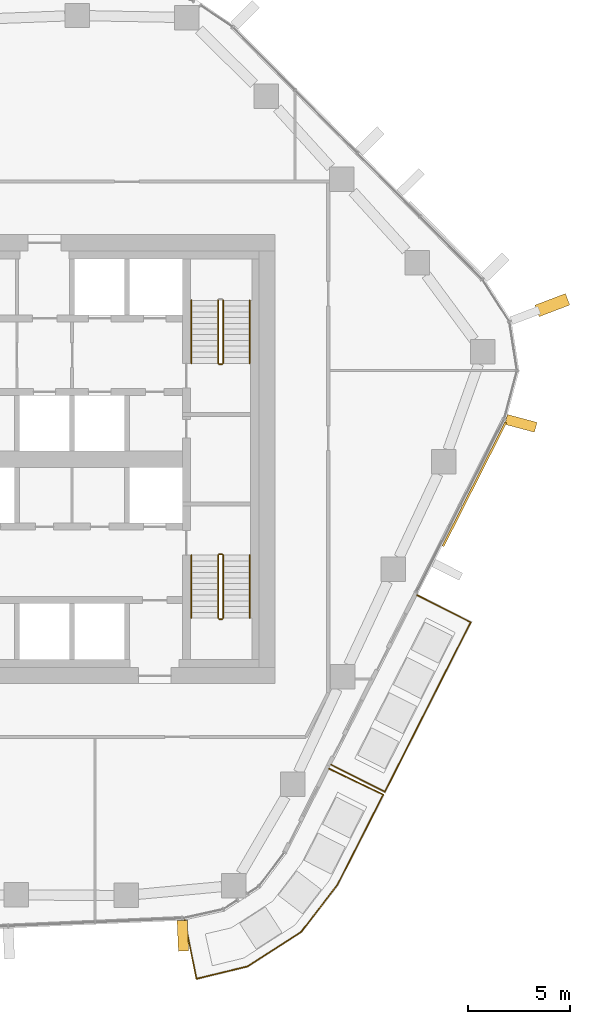
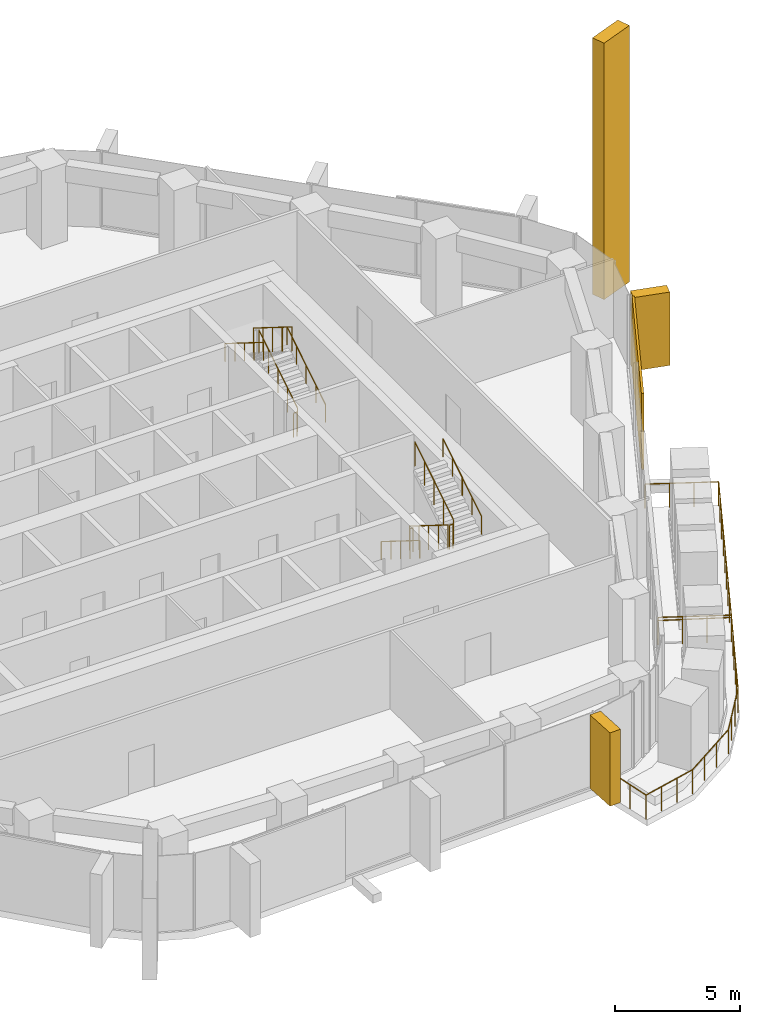
# One storey, part 16 of 18: 13 railings, 4 coverings, 3 elements without a shape of their own.
"""IFC4 building model written with IfcOpenShell, lengths in metres."""

import ifcopenshell
import ifcopenshell.guid

model = None  # the IFC model being written
_history = None  # IfcOwnerHistory: only IFC2X3 demands one
_inside = {}  # id of a spatial element -> (the spatial element, [elements in it])
_under = {}  # id of a project, library or spatial element -> (it, [spatial elements below it])
_declared = {}  # id of a project -> (the project, [libraries it declares])
_typed = {}  # id of a type object -> (the type object, [elements of that type])
_made_of = {}  # id of a material, layer set ... -> (it, [elements and type objects made of it])


def new_model(schema):
    """Start an empty IFC model of exactly this schema.

    Asked for "IFC4X3", IfcOpenShell would pick the latest addendum, in which some entities
    have other attributes; the version numbers below select the first issue.
    IFC2X3 requires an IfcOwnerHistory on every rooted entity: one is made here for all.
    """
    global model, _history
    if schema == "IFC4X3":
        model = ifcopenshell.file(schema_version=(4, 3, 0, 0))
    else:
        model = ifcopenshell.file(schema=schema)
    _inside.clear()
    _under.clear()
    _declared.clear()
    _typed.clear()
    _made_of.clear()
    _history = None
    if model.schema == "IFC2X3":
        org = make("IfcOrganization", Name="unknown")
        user = make(
            "IfcPersonAndOrganization",
            ThePerson=make("IfcPerson", FamilyName="unknown"),
            TheOrganization=org,
        )
        app = make(
            "IfcApplication",
            ApplicationDeveloper=org,
            Version="unknown",
            ApplicationFullName="unknown",
            ApplicationIdentifier="unknown",
        )
        _history = make(
            "IfcOwnerHistory",
            OwningUser=user,
            OwningApplication=app,
            ChangeAction="ADDED",
            CreationDate=0,
        )
    return model


def make(cls, **values):
    """One entity of the class cls with the attributes given. An attribute that is None is left unset."""
    return model.create_entity(
        cls, **{name: value for name, value in values.items() if value is not None}
    )


def rooted(cls, **values):
    """An entity with a GlobalId (a new one), such as an element, a storey or a relation."""
    return make(cls, GlobalId=ifcopenshell.guid.new(), OwnerHistory=_history, **values)


def si_unit(unit_type, name, prefix=None):
    """IfcSIUnit, for example si_unit("LENGTHUNIT", "METRE", prefix="MILLI")."""
    return make("IfcSIUnit", UnitType=unit_type, Prefix=prefix, Name=name)


def assignment(units):
    """IfcUnitAssignment: the units of a project."""
    return None if units is None else make("IfcUnitAssignment", Units=units)


def point(xyz):
    """IfcCartesianPoint."""
    return None if xyz is None else make("IfcCartesianPoint", Coordinates=xyz)


def direction(xyz):
    """IfcDirection."""
    return None if xyz is None else make("IfcDirection", DirectionRatios=xyz)


def frame(location, z_axis=None, x_axis=None):
    """IfcAxis2Placement3D, a coordinate frame: its origin and axes. An axis left out is left unset."""
    return make(
        "IfcAxis2Placement3D",
        Location=point(location),
        Axis=direction(z_axis),
        RefDirection=direction(x_axis),
    )


def frame_2d(location, x_axis=None):
    """IfcAxis2Placement2D, a coordinate frame in the plane: its origin and x axis."""
    return make(
        "IfcAxis2Placement2D", Location=point(location), RefDirection=direction(x_axis)
    )


def origin():
    """The frame at (0, 0, 0) with its axes left unset."""
    return frame((0.0, 0.0, 0.0))


def origin_2d():
    """The frame at (0, 0) in the plane with its x axis left unset."""
    return frame_2d((0.0, 0.0))


def place(relative_to, where):
    """IfcLocalPlacement: puts the frame where relative to a parent placement (None: the world)."""
    return make(
        "IfcLocalPlacement", PlacementRelTo=relative_to, RelativePlacement=where
    )


def context(
    kind, dimensions, precision=None, world=None, true_north=None, identifier=None
):
    """IfcGeometricRepresentationContext, for example the 3D "Model" context."""
    return make(
        "IfcGeometricRepresentationContext",
        ContextIdentifier=identifier,
        ContextType=kind,
        CoordinateSpaceDimension=dimensions,
        Precision=precision,
        WorldCoordinateSystem=world,
        TrueNorth=true_north,
    )


def subcontext(parent, identifier, kind, view, scale=None):
    """IfcGeometricRepresentationSubContext, for example "Body" below "Model"."""
    return make(
        "IfcGeometricRepresentationSubContext",
        ContextIdentifier=identifier,
        ContextType=kind,
        ParentContext=parent,
        TargetScale=scale,
        TargetView=view,
    )


def project(units=None, contexts=None):
    """IfcProject with its units and contexts."""
    return rooted(
        "IfcProject",
        Name="project",
        RepresentationContexts=contexts,
        UnitsInContext=assignment(units),
    )


def spatial(cls, under=None, at=None, **own):
    """A site, building, storey or space (cls), placed at a placement, below another one or the project."""
    s = rooted(cls, ObjectPlacement=at, **own)
    if under is not None:
        _under.setdefault(under.id(), (under, []))[1].append(s)
    return s


def profile(cls, at=None, kind="AREA", **sizes):
    """A parametric profile (cls). Its sizes go by their IFC names, for example OverallWidth=200.0."""
    return make(cls, ProfileType=kind, Position=at, **sizes)


def rectangle(**sizes):
    """IfcRectangleProfileDef."""
    return profile("IfcRectangleProfileDef", **sizes)


def circle(**sizes):
    """IfcCircleProfileDef."""
    return profile("IfcCircleProfileDef", **sizes)


def extrude(swept, where, along, depth):
    """IfcExtrudedAreaSolid: the profile swept, set in the frame where, extruded along a direction by depth."""
    return make(
        "IfcExtrudedAreaSolid",
        SweptArea=swept,
        Position=where,
        ExtrudedDirection=direction(along),
        Depth=depth,
    )


def shape(context_of_items, identifier, shape_type, items):
    """IfcShapeRepresentation: the items that make up one representation, for example the "Body"."""
    return make(
        "IfcShapeRepresentation",
        ContextOfItems=context_of_items,
        RepresentationIdentifier=identifier,
        RepresentationType=shape_type,
        Items=items,
    )


def material(Name=None, Category=None):
    """IfcMaterial."""
    return make("IfcMaterial", Name=Name, Category=Category)


def layer(
    of_material, thickness, ventilated=None, Name=None, Category=None, Priority=None
):
    """IfcMaterialLayer: one layer of a wall or slab, of a material (None: an air gap)."""
    return make(
        "IfcMaterialLayer",
        Material=of_material,
        LayerThickness=thickness,
        IsVentilated=ventilated,
        Name=Name,
        Category=Category,
        Priority=Priority,
    )


def layer_set(layers, Name=None):
    """IfcMaterialLayerSet."""
    return make("IfcMaterialLayerSet", MaterialLayers=layers, LayerSetName=Name)


def material_profile(
    of_material, cross_section, Name=None, Category=None, Priority=None
):
    """IfcMaterialProfile: a cross section and its material."""
    return make(
        "IfcMaterialProfile",
        Name=Name,
        Material=of_material,
        Profile=cross_section,
        Priority=Priority,
        Category=Category,
    )


def profile_set(profiles, Name=None, composite=None):
    """IfcMaterialProfileSet."""
    return make(
        "IfcMaterialProfileSet",
        Name=Name,
        MaterialProfiles=profiles,
        CompositeProfile=composite,
    )


def made_of(thing, what):
    """Note that an element or type object is made of a material, layer set ...; save() writes the relation."""
    if what is not None:
        _made_of.setdefault(what.id(), (what, []))[1].append(thing)
    return thing


def type_object(cls, material=None, **own):
    """A type object (cls), such as IfcWallType, which elements share."""
    return made_of(rooted(cls, **own), material)


def element(
    cls,
    number,
    at=None,
    inside=None,
    cuts=None,
    type_object=None,
    material=None,
    context=None,
    identifier="Body",
    shape_type=None,
    held_by="IfcProductDefinitionShape",
    body=None,
    shapes=None,
    **own,
):
    """One element of the class cls, such as IfcWall. Its Tag is "e" and its number.

    at: its placement. inside: the storey or other place that contains it. cuts: it is an
    opening in that element (IfcRelVoidsElement). A single representation is given by context,
    identifier, shape_type and body (its items); several are given by shapes. held_by: the class
    of the entity that holds the representations. save() writes the other relations.
    """
    e = rooted(cls, Tag="e%d" % number, ObjectPlacement=at, **own)
    if body is not None:
        shapes = [shape(context, identifier, shape_type, body)]
    if shapes is not None:
        e.Representation = make(held_by, Representations=shapes)
    if inside is not None:
        _inside.setdefault(inside.id(), (inside, []))[1].append(e)
    if cuts is not None:
        rooted(
            "IfcRelVoidsElement", RelatingBuildingElement=cuts, RelatedOpeningElement=e
        )
    if type_object is not None:
        _typed.setdefault(type_object.id(), (type_object, []))[1].append(e)
    return made_of(e, material)


def aggregate(whole, parts):
    """IfcRelAggregates: a whole, such as a stair, and the parts it consists of."""
    return rooted("IfcRelAggregates", RelatingObject=whole, RelatedObjects=parts)


def save(model, path):
    """Write the relations noted so far, then the file.

    IfcRelAggregates (storeys below a building ...), IfcRelContainedInSpatialStructure (elements
    in a storey), IfcRelDefinesByType, IfcRelAssociatesMaterial and IfcRelDeclares: one each for
    every whole, place, type object, material and project.
    """
    for whole, parts in _under.values():
        aggregate(whole, parts)
    for where, things in _inside.values():
        rooted(
            "IfcRelContainedInSpatialStructure",
            RelatedElements=things,
            RelatingStructure=where,
        )
    for kind, things in _typed.values():
        rooted("IfcRelDefinesByType", RelatedObjects=things, RelatingType=kind)
    for what, things in _made_of.values():
        rooted("IfcRelAssociatesMaterial", RelatedObjects=things, RelatingMaterial=what)
    for by, libraries in _declared.values():
        rooted("IfcRelDeclares", RelatingContext=by, RelatedDefinitions=libraries)
    model.write(path)


model = new_model("IFC4")

# Units and contexts
model_context = context("Model", 3, precision=1e-05, world=origin(), true_north=direction((0.0, 1.0)))
body_context = subcontext(model_context, "Body", "Model", "MODEL_VIEW")
ifc_project = project(units=[si_unit("LENGTHUNIT", "METRE"), si_unit("AREAUNIT", "SQUARE_METRE"), si_unit("VOLUMEUNIT", "CUBIC_METRE"), si_unit("PLANEANGLEUNIT", "RADIAN"), si_unit("MASSUNIT", "GRAM", prefix="KILO")], contexts=[model_context])

# Site, building, storey
site_placement = place(None, origin())
site = spatial("IfcSite", under=ifc_project, at=site_placement, CompositionType="ELEMENT")
building_placement = place(site_placement, origin())
building = spatial("IfcBuilding", under=site, at=building_placement, Name="Dongbaek Canopy Tower", CompositionType="ELEMENT")
storey_placement = place(building_placement, frame((0.0, 0.0, 171.199951171875)))
storey = spatial("IfcBuildingStorey", under=building, at=storey_placement, Name="L37", CompositionType="ELEMENT", Elevation=171.199951171875)

# Railings
ifc_material_1 = material(Name="Stainless steel", Category="steel")
railing_type_1 = type_object("IfcRailingType", Name="Balcony balustrade 1200", PredefinedType="BALUSTRADE", material=ifc_material_1)
railing_1_placement = place(storey_placement, frame((16.746826171875, -14.96533203125, 0.0)))
element("IfcRailing", 1, at=railing_1_placement, inside=storey, type_object=railing_type_1, Name="Balcony guard L37 1", PredefinedType="BALUSTRADE", context=body_context, shape_type="SweptSolid", body=[
    extrude(circle(Radius=0.02392578125, at=origin_2d()), frame((0.0, 0.0, 1.17578125), z_axis=(0.892005863595, -0.452023826045, 0.0), x_axis=(0.452023826045, 0.892005863595, 0.0)), (0.0, 0.0, 1.0), 2.939697265625),
    extrude(circle(Radius=0.02392578125, at=origin_2d()), frame((2.622314453125, -1.328857421875, 1.17578125), z_axis=(0.452021547481, 0.892007018253, 0.0), x_axis=(-0.892007018253, 0.452021547481, 0.0)), (0.0, 0.0, 1.0), 9.310302734375),
    extrude(circle(Radius=0.02392578125, at=origin_2d()), frame((6.830810546875, 6.97607421875, 1.17578125), z_axis=(-0.892022830295, 0.451990343074, 0.0), x_axis=(-0.451990343074, -0.892022830295, 0.0)), (0.0, 0.0, 1.0), 2.93994140625),
    extrude(circle(Radius=0.02099609375, at=origin_2d()), origin(), (0.0, 0.0, 1.0), 1.15185546875),
    extrude(circle(Radius=0.02099609375, at=origin_2d()), frame((0.8740234375, -0.44287109375, 0.0)), (0.0, 0.0, 1.0), 1.15185546875),
    extrude(circle(Radius=0.02099609375, at=origin_2d()), frame((1.748291015625, -0.885986328125, 0.0)), (0.0, 0.0, 1.0), 1.15185546875),
    extrude(circle(Radius=0.02099609375, at=origin_2d()), frame((2.622314453125, -1.328857421875, 0.0)), (0.0, 0.0, 1.0), 1.15185546875),
    extrude(circle(Radius=0.02099609375, at=origin_2d()), frame((3.1484375, -0.290771484375, 0.0)), (0.0, 0.0, 1.0), 1.15185546875),
    extrude(circle(Radius=0.02099609375, at=origin_2d()), frame((3.67431640625, 0.747314453125, 0.0)), (0.0, 0.0, 1.0), 1.15185546875),
    extrude(circle(Radius=0.02099609375, at=origin_2d()), frame((4.200439453125, 1.785400390625, 0.0)), (0.0, 0.0, 1.0), 1.15185546875),
    extrude(circle(Radius=0.02099609375, at=origin_2d()), frame((4.7265625, 2.82373046875, 0.0)), (0.0, 0.0, 1.0), 1.15185546875),
    extrude(circle(Radius=0.02099609375, at=origin_2d()), frame((5.252685546875, 3.86181640625, 0.0)), (0.0, 0.0, 1.0), 1.15185546875),
    extrude(circle(Radius=0.02099609375, at=origin_2d()), frame((5.77880859375, 4.89990234375, 0.0)), (0.0, 0.0, 1.0), 1.15185546875),
    extrude(circle(Radius=0.02099609375, at=origin_2d()), frame((6.3046875, 5.93798828125, 0.0)), (0.0, 0.0, 1.0), 1.15185546875),
    extrude(circle(Radius=0.02099609375, at=origin_2d()), frame((6.830810546875, 6.97607421875, 0.0)), (0.0, 0.0, 1.0), 1.15185546875),
    extrude(circle(Radius=0.02099609375, at=origin_2d()), frame((5.95654296875, 7.4189453125, 0.0)), (0.0, 0.0, 1.0), 1.15185546875),
    extrude(circle(Radius=0.02099609375, at=origin_2d()), frame((5.08251953125, 7.862060546875, 0.0)), (0.0, 0.0, 1.0), 1.15185546875),
    extrude(circle(Radius=0.02099609375, at=origin_2d()), frame((4.208251953125, 8.304931640625, 0.0)), (0.0, 0.0, 1.0), 1.15185546875),
])
railing_2_placement = place(storey_placement, frame((9.560302734375, -22.572021484375, 0.0)))
element("IfcRailing", 2, at=railing_2_placement, inside=storey, type_object=railing_type_1, Name="Balcony guard L37 2", PredefinedType="BALUSTRADE", context=body_context, shape_type="SweptSolid", body=[
    extrude(circle(Radius=0.02392578125, at=origin_2d()), frame((0.0, 0.0, 1.17578125), z_axis=(0.198255065581, -0.980150462415, 0.0), x_axis=(0.980150462415, 0.198255065581, 0.0)), (0.0, 0.0, 1.0), 2.940673828125),
    extrude(circle(Radius=0.02392578125, at=origin_2d()), frame((0.5830078125, -2.88232421875, 1.17578125), z_axis=(0.971865254001, 0.235537530055, 0.0), x_axis=(-0.235537530055, 0.971865254001, 0.0)), (0.0, 0.0, 1.0), 2.571533203125),
    extrude(circle(Radius=0.02392578125, at=origin_2d()), frame((3.082275390625, -2.276611328125, 1.17578125), z_axis=(0.840454454333, 0.541882192171, 0.0), x_axis=(-0.541882192171, 0.840454454333, 0.0)), (0.0, 0.0, 1.0), 3.13671875),
    extrude(circle(Radius=0.02392578125, at=origin_2d()), frame((5.718505859375, -0.576904296875, 1.17578125), z_axis=(0.610902139733, 0.791706116984, 0.0), x_axis=(-0.791706116984, 0.610902139733, 0.0)), (0.0, 0.0, 1.0), 2.880126953125),
    extrude(circle(Radius=0.02392578125, at=origin_2d()), frame((7.47802734375, 1.703369140625, 1.17578125), z_axis=(0.454052239891, 0.890975063316, 0.0), x_axis=(-0.890975063316, 0.454052239891, 0.0)), (0.0, 0.0, 1.0), 4.97412109375),
    extrude(circle(Radius=0.02392578125, at=origin_2d()), frame((9.736572265625, 6.13525390625, 1.17578125), z_axis=(-0.901050941645, 0.433713269985, 0.0), x_axis=(-0.433713269985, -0.901050941645, 0.0)), (0.0, 0.0, 1.0), 2.940673828125),
    extrude(circle(Radius=0.02099609375, at=origin_2d()), origin(), (0.0, 0.0, 1.0), 1.15185546875),
    extrude(circle(Radius=0.02099609375, at=origin_2d()), frame((0.1943359375, -0.960693359375, 0.0)), (0.0, 0.0, 1.0), 1.15185546875),
    extrude(circle(Radius=0.02099609375, at=origin_2d()), frame((0.388671875, -1.921630859375, 0.0)), (0.0, 0.0, 1.0), 1.15185546875),
    extrude(circle(Radius=0.02099609375, at=origin_2d()), frame((0.5830078125, -2.88232421875, 0.0)), (0.0, 0.0, 1.0), 1.15185546875),
    extrude(circle(Radius=0.02099609375, at=origin_2d()), frame((1.416015625, -2.680419921875, 0.0)), (0.0, 0.0, 1.0), 1.15185546875),
    extrude(circle(Radius=0.02099609375, at=origin_2d()), frame((2.249267578125, -2.478515625, 0.0)), (0.0, 0.0, 1.0), 1.15185546875),
    extrude(circle(Radius=0.02099609375, at=origin_2d()), frame((3.082275390625, -2.276611328125, 0.0)), (0.0, 0.0, 1.0), 1.15185546875),
    extrude(circle(Radius=0.02099609375, at=origin_2d()), frame((3.9609375, -1.7099609375, 0.0)), (0.0, 0.0, 1.0), 1.15185546875),
    extrude(circle(Radius=0.02099609375, at=origin_2d()), frame((4.83984375, -1.1435546875, 0.0)), (0.0, 0.0, 1.0), 1.15185546875),
    extrude(circle(Radius=0.02099609375, at=origin_2d()), frame((5.718505859375, -0.576904296875, 0.0)), (0.0, 0.0, 1.0), 1.15185546875),
    extrude(circle(Radius=0.02099609375, at=origin_2d()), frame((6.304931640625, 0.18310546875, 0.0)), (0.0, 0.0, 1.0), 1.15185546875),
    extrude(circle(Radius=0.02099609375, at=origin_2d()), frame((6.8916015625, 0.943359375, 0.0)), (0.0, 0.0, 1.0), 1.15185546875),
    extrude(circle(Radius=0.02099609375, at=origin_2d()), frame((7.47802734375, 1.703369140625, 0.0)), (0.0, 0.0, 1.0), 1.15185546875),
    extrude(circle(Radius=0.02099609375, at=origin_2d()), frame((7.9296875, 2.58984375, 0.0)), (0.0, 0.0, 1.0), 1.15185546875),
    extrude(circle(Radius=0.02099609375, at=origin_2d()), frame((8.38134765625, 3.47607421875, 0.0)), (0.0, 0.0, 1.0), 1.15185546875),
    extrude(circle(Radius=0.02099609375, at=origin_2d()), frame((8.833251953125, 4.362548828125, 0.0)), (0.0, 0.0, 1.0), 1.15185546875),
    extrude(circle(Radius=0.02099609375, at=origin_2d()), frame((9.284912109375, 5.248779296875, 0.0)), (0.0, 0.0, 1.0), 1.15185546875),
    extrude(circle(Radius=0.02099609375, at=origin_2d()), frame((9.736572265625, 6.13525390625, 0.0)), (0.0, 0.0, 1.0), 1.15185546875),
    extrude(circle(Radius=0.02099609375, at=origin_2d()), frame((8.853271484375, 6.560302734375, 0.0)), (0.0, 0.0, 1.0), 1.15185546875),
    extrude(circle(Radius=0.02099609375, at=origin_2d()), frame((7.97021484375, 6.985595703125, 0.0)), (0.0, 0.0, 1.0), 1.15185546875),
    extrude(circle(Radius=0.02099609375, at=origin_2d()), frame((7.0869140625, 7.41064453125, 0.0)), (0.0, 0.0, 1.0), 1.15185546875),
])

# Curtain wall, covering
ifc_material_2 = material(Name="Aluminium 6063-T6 pale anodised", Category="aluminium")
ifc_layer_1 = layer(ifc_material_2, 0.199951171875)
ifc_layer_set_1 = layer_set([ifc_layer_1], Name="CW-1 unitised tower curtain wall")
curtain_wall_type = type_object("IfcCurtainWallType", Name="CW-1 unitised tower curtain wall", PredefinedType="NOTDEFINED", material=ifc_layer_set_1)
curtain_wall_1_placement = place(storey_placement, origin())
curtain_wall_1 = element("IfcCurtainWall", 3, at=curtain_wall_1_placement, inside=storey, type_object=curtain_wall_type, Name="CW-1 curtain wall K0.1", PredefinedType="NOTDEFINED")
ifc_material_3 = material(Name="Aluminium 6063-T6 pale metal fin", Category="aluminium")
ifc_material_profile_1 = material_profile(ifc_material_3, rectangle(XDim=1.60009765625, YDim=0.60009765625, at=origin_2d()), Name="Corner fin CN1 600 x 1600 pale metal")
ifc_profile_set_1 = profile_set([ifc_material_profile_1], Name="Aluminium 6063-T6 pale metal fin")
covering_type_1 = type_object("IfcCoveringType", Name="Corner fin CN1 600 x 1600 pale metal", PredefinedType="CLADDING", material=ifc_profile_set_1)
covering_1_placement = place(storey_placement, frame((27.57763671875, 7.54931640625, -0.18994140625), z_axis=(0.0, 0.0, 1.0), x_axis=(0.934627201465, 0.355629012149, 0.0)))
covering_1 = element("IfcCovering", 4, at=covering_1_placement, type_object=covering_type_1, Name="Corner fin L37 L39 K0", PredefinedType="CLADDING", context=body_context, shape_type="SweptSolid", body=[
    extrude(rectangle(XDim=1.60009765625, YDim=0.60009765625, at=origin_2d()), origin(), (0.0, 0.0, 1.0), 12.52001953125),
])

curtain_wall_2_placement = place(storey_placement, origin())
curtain_wall_2 = element("IfcCurtainWall", 5, at=curtain_wall_2_placement, inside=storey, type_object=curtain_wall_type, Name="CW-1 curtain wall F5.1", PredefinedType="NOTDEFINED")
ifc_material_4 = material(Name="Perforated aluminium 6063-T6 pale metal screen", Category="aluminium")
ifc_layer_2 = layer(ifc_material_4, 0.10009765625)
ifc_layer_set_2 = layer_set([ifc_layer_2], Name="Facet screen FS1 100 pale metal")
covering_type_2 = type_object("IfcCoveringType", Name="Facet screen FS1 100 pale metal", PredefinedType="CLADDING", material=ifc_layer_set_2)
covering_2_placement = place(storey_placement, frame((23.75830078125, -1.22998046875, 0.0), z_axis=(0.0, 0.0, 1.0), x_axis=(0.452009738844, 0.892013002142, 0.0)))
covering_2 = element("IfcCovering", 6, at=covering_2_placement, type_object=covering_type_2, Name="Facet screen L37 F5", PredefinedType="CLADDING", context=body_context, shape_type="SweptSolid", body=[
    extrude(rectangle(XDim=6.808837890625, YDim=0.10009765625, at=origin_2d()), origin(), (0.0, 0.0, 1.0), 3.699951171875),
])
aggregate(curtain_wall_2, [covering_2])

# Covering
ifc_material_5 = material(Name="Aluminium 6063-T6 pale metal fin", Category="aluminium")
ifc_material_profile_2 = material_profile(ifc_material_5, rectangle(XDim=1.5, YDim=0.5, at=origin_2d()), Name="Fin FN1 500 x 1500 pale metal")
ifc_profile_set_2 = profile_set([ifc_material_profile_2], Name="Aluminium 6063-T6 pale metal fin")
covering_type_3 = type_object("IfcCoveringType", Name="Fin FN1 500 x 1500 pale metal", PredefinedType="CLADDING", material=ifc_profile_set_2)
covering_3_placement = place(storey_placement, frame((26.039794921875, 1.75537109375, 0.1201171875), z_axis=(0.0, 0.0, 1.0), x_axis=(0.966167065095, -0.257917045436, 0.0)))
covering_3 = element("IfcCovering", 7, at=covering_3_placement, type_object=covering_type_3, Name="Fin K0.1.1", PredefinedType="CLADDING", context=body_context, shape_type="SweptSolid", body=[
    extrude(rectangle(XDim=1.5, YDim=0.5, at=origin_2d()), origin(), (0.0, 0.0, 1.0), 3.579833984375),
])

aggregate(curtain_wall_1, [covering_3, covering_1])

# Curtain wall, covering
curtain_wall_3_placement = place(storey_placement, origin())
curtain_wall_3 = element("IfcCurtainWall", 8, at=curtain_wall_3_placement, inside=storey, type_object=curtain_wall_type, Name="CW-1 curtain wall F4.1", PredefinedType="NOTDEFINED")
covering_4_placement = place(storey_placement, frame((9.476806640625, -23.345703125, 0.1201171875), z_axis=(0.0, 0.0, 1.0), x_axis=(0.043640187851, -0.999047313196, 0.0)))
covering_4 = element("IfcCovering", 9, at=covering_4_placement, type_object=covering_type_3, Name="Fin F4.1.5", PredefinedType="CLADDING", context=body_context, shape_type="SweptSolid", body=[
    extrude(rectangle(XDim=1.5, YDim=0.5, at=origin_2d()), origin(), (0.0, 0.0, 1.0), 3.579833984375),
])
aggregate(curtain_wall_3, [covering_4])

# Railings
ifc_material_6 = material(Name="Stainless steel tube and balusters", Category="steel")
railing_type_2 = type_object("IfcRailingType", Name="Stair guard 1200", PredefinedType="GUARDRAIL", material=ifc_material_6)
railing_3_placement = place(storey_placement, frame((11.449951171875, 4.699951171875, 0.175048828125)))
element("IfcRailing", 10, at=railing_3_placement, inside=storey, type_object=railing_type_2, Name="L37 ST-A stair guard 1", PredefinedType="GUARDRAIL", context=body_context, shape_type="SweptSolid", body=[
    extrude(circle(Radius=0.02392578125, at=origin_2d()), frame((0.0, 0.0, 1.17578125), z_axis=(0.0, 0.847998304005, 0.529998940003), x_axis=(-1.0, 0.0, 0.0)), (0.0, 0.0, 1.0), 3.632080078125),
    extrude(circle(Radius=0.02099609375, at=origin_2d()), origin(), (0.0, 0.0, 1.0), 1.15185546875),
    extrude(circle(Radius=0.02099609375, at=origin_2d()), frame((0.0, 0.77001953125, 0.481201171875)), (0.0, 0.0, 1.0), 1.15185546875),
    extrude(circle(Radius=0.02099609375, at=origin_2d()), frame((0.0, 1.5400390625, 0.96240234375)), (0.0, 0.0, 1.0), 1.15185546875),
    extrude(circle(Radius=0.02099609375, at=origin_2d()), frame((0.0, 2.31005859375, 1.44384765625)), (0.0, 0.0, 1.0), 1.15185546875),
    extrude(circle(Radius=0.02099609375, at=origin_2d()), frame((0.0, 3.080078125, 1.925048828125)), (0.0, 0.0, 1.0), 1.15185546875),
])
railing_4_placement = place(storey_placement, frame((11.199951171875, 7.780029296875, 2.275146484375)))
element("IfcRailing", 11, at=railing_4_placement, inside=storey, type_object=railing_type_2, Name="L37 ST-A stair guard 3", PredefinedType="GUARDRAIL", context=body_context, shape_type="SweptSolid", body=[
    extrude(circle(Radius=0.02392578125, at=origin_2d()), frame((0.0, 0.0, 1.17578125), z_axis=(0.0, -0.848028513186, 0.529950602248), x_axis=(1.0, 0.0, 0.0)), (0.0, 0.0, 1.0), 3.632080078125),
    extrude(circle(Radius=0.02099609375, at=origin_2d()), origin(), (0.0, 0.0, 1.0), 1.15185546875),
    extrude(circle(Radius=0.02099609375, at=origin_2d()), frame((0.0, -0.77001953125, 0.481201171875)), (0.0, 0.0, 1.0), 1.15185546875),
    extrude(circle(Radius=0.02099609375, at=origin_2d()), frame((0.0, -1.5400390625, 0.96240234375)), (0.0, 0.0, 1.0), 1.15185546875),
    extrude(circle(Radius=0.02099609375, at=origin_2d()), frame((0.0, -2.31005859375, 1.443603515625)), (0.0, 0.0, 1.0), 1.15185546875),
    extrude(circle(Radius=0.02099609375, at=origin_2d()), frame((0.0, -3.080078125, 1.9248046875)), (0.0, 0.0, 1.0), 1.15185546875),
])
railing_5_placement = place(storey_placement, frame((11.39990234375, 4.64990234375, 0.0)))
element("IfcRailing", 12, at=railing_5_placement, inside=storey, type_object=railing_type_2, Name="L37 ST-A stair guard 4", PredefinedType="GUARDRAIL", context=body_context, shape_type="SweptSolid", body=[
    extrude(circle(Radius=0.02392578125, at=origin_2d()), frame((0.0, 0.0, 1.17578125), z_axis=(-1.0, 0.0, 0.0), x_axis=(0.0, -1.0, 0.0)), (0.0, 0.0, 1.0), 0.14990234375),
    extrude(circle(Radius=0.02099609375, at=origin_2d()), origin(), (0.0, 0.0, 1.0), 1.15185546875),
    extrude(circle(Radius=0.02099609375, at=origin_2d()), frame((-0.14990234375, 0.0, 0.0)), (0.0, 0.0, 1.0), 1.15185546875),
])
railing_6_placement = place(storey_placement, frame((11.199951171875, -4.699951171875, 0.175048828125)))
element("IfcRailing", 13, at=railing_6_placement, inside=storey, type_object=railing_type_2, Name="L37 ST-B stair guard 1", PredefinedType="GUARDRAIL", context=body_context, shape_type="SweptSolid", body=[
    extrude(circle(Radius=0.02392578125, at=origin_2d()), frame((0.0, 0.0, 1.17578125), z_axis=(0.0, -0.847998304005, 0.529998940003), x_axis=(1.0, 0.0, 0.0)), (0.0, 0.0, 1.0), 3.632080078125),
    extrude(circle(Radius=0.02099609375, at=origin_2d()), origin(), (0.0, 0.0, 1.0), 1.15185546875),
    extrude(circle(Radius=0.02099609375, at=origin_2d()), frame((0.0, -0.77001953125, 0.481201171875)), (0.0, 0.0, 1.0), 1.15185546875),
    extrude(circle(Radius=0.02099609375, at=origin_2d()), frame((0.0, -1.5400390625, 0.96240234375)), (0.0, 0.0, 1.0), 1.15185546875),
    extrude(circle(Radius=0.02099609375, at=origin_2d()), frame((0.0, -2.31005859375, 1.44384765625)), (0.0, 0.0, 1.0), 1.15185546875),
    extrude(circle(Radius=0.02099609375, at=origin_2d()), frame((0.0, -3.080078125, 1.925048828125)), (0.0, 0.0, 1.0), 1.15185546875),
])
railing_7_placement = place(storey_placement, frame((11.25, -7.830078125, 2.10009765625)))
element("IfcRailing", 14, at=railing_7_placement, inside=storey, type_object=railing_type_2, Name="L37 ST-B stair guard 2", PredefinedType="GUARDRAIL", context=body_context, shape_type="SweptSolid", body=[
    extrude(circle(Radius=0.02392578125, at=origin_2d()), frame((0.0, 0.0, 1.17578125), z_axis=(1.0, 0.0, 0.0), x_axis=(0.0, 1.0, 0.0)), (0.0, 0.0, 1.0), 0.14990234375),
    extrude(circle(Radius=0.02099609375, at=origin_2d()), origin(), (0.0, 0.0, 1.0), 1.15185546875),
    extrude(circle(Radius=0.02099609375, at=origin_2d()), frame((0.14990234375, 0.0, 0.0)), (0.0, 0.0, 1.0), 1.15185546875),
])
railing_8_placement = place(storey_placement, frame((11.449951171875, -7.780029296875, 2.275146484375)))
element("IfcRailing", 15, at=railing_8_placement, inside=storey, type_object=railing_type_2, Name="L37 ST-B stair guard 3", PredefinedType="GUARDRAIL", context=body_context, shape_type="SweptSolid", body=[
    extrude(circle(Radius=0.02392578125, at=origin_2d()), frame((0.0, 0.0, 1.17578125), z_axis=(0.0, 0.848028513186, 0.529950602248), x_axis=(-1.0, 0.0, 0.0)), (0.0, 0.0, 1.0), 3.632080078125),
    extrude(circle(Radius=0.02099609375, at=origin_2d()), origin(), (0.0, 0.0, 1.0), 1.15185546875),
    extrude(circle(Radius=0.02099609375, at=origin_2d()), frame((0.0, 0.77001953125, 0.481201171875)), (0.0, 0.0, 1.0), 1.15185546875),
    extrude(circle(Radius=0.02099609375, at=origin_2d()), frame((0.0, 1.5400390625, 0.96240234375)), (0.0, 0.0, 1.0), 1.15185546875),
    extrude(circle(Radius=0.02099609375, at=origin_2d()), frame((0.0, 2.31005859375, 1.443603515625)), (0.0, 0.0, 1.0), 1.15185546875),
    extrude(circle(Radius=0.02099609375, at=origin_2d()), frame((0.0, 3.080078125, 1.9248046875)), (0.0, 0.0, 1.0), 1.15185546875),
])
railing_9_placement = place(storey_placement, frame((11.25, -4.64990234375, 0.0)))
element("IfcRailing", 16, at=railing_9_placement, inside=storey, type_object=railing_type_2, Name="L37 ST-B stair guard 4", PredefinedType="GUARDRAIL", context=body_context, shape_type="SweptSolid", body=[
    extrude(circle(Radius=0.02392578125, at=origin_2d()), frame((0.0, 0.0, 1.17578125), z_axis=(1.0, 0.0, 0.0), x_axis=(0.0, 1.0, 0.0)), (0.0, 0.0, 1.0), 0.14990234375),
    extrude(circle(Radius=0.02099609375, at=origin_2d()), origin(), (0.0, 0.0, 1.0), 1.15185546875),
    extrude(circle(Radius=0.02099609375, at=origin_2d()), frame((0.14990234375, 0.0, 0.0)), (0.0, 0.0, 1.0), 1.15185546875),
])
ifc_material_7 = material(Name="Stainless steel tube", Category="steel")
railing_type_3 = type_object("IfcRailingType", Name="Stair handrail 900", PredefinedType="HANDRAIL", material=ifc_material_7)
railing_10_placement = place(storey_placement, frame((12.75, 4.699951171875, 0.175048828125)))
element("IfcRailing", 17, at=railing_10_placement, inside=storey, type_object=railing_type_3, Name="L37 ST-A stair handrail 1", PredefinedType="HANDRAIL", context=body_context, shape_type="SweptSolid", body=[
    extrude(circle(Radius=0.02392578125, at=origin_2d()), frame((0.0, 0.0, 0.8759765625), z_axis=(0.0, 0.847998304005, 0.529998940003), x_axis=(-1.0, 0.0, 0.0)), (0.0, 0.0, 1.0), 3.632080078125),
    extrude(circle(Radius=0.02099609375, at=origin_2d()), origin(), (0.0, 0.0, 1.0), 0.851806640625),
    extrude(circle(Radius=0.02099609375, at=origin_2d()), frame((0.0, 0.77001953125, 0.481201171875)), (0.0, 0.0, 1.0), 0.851806640625),
    extrude(circle(Radius=0.02099609375, at=origin_2d()), frame((0.0, 1.5400390625, 0.96240234375)), (0.0, 0.0, 1.0), 0.851806640625),
    extrude(circle(Radius=0.02099609375, at=origin_2d()), frame((0.0, 2.31005859375, 1.44384765625)), (0.0, 0.0, 1.0), 0.851806640625),
    extrude(circle(Radius=0.02099609375, at=origin_2d()), frame((0.0, 3.080078125, 1.925048828125)), (0.0, 0.0, 1.0), 0.851806640625),
])
railing_11_placement = place(storey_placement, frame((9.89990234375, 7.780029296875, 2.275146484375)))
element("IfcRailing", 18, at=railing_11_placement, inside=storey, type_object=railing_type_3, Name="L37 ST-A stair handrail 2", PredefinedType="HANDRAIL", context=body_context, shape_type="SweptSolid", body=[
    extrude(circle(Radius=0.02392578125, at=origin_2d()), frame((0.0, 0.0, 0.8759765625), z_axis=(0.0, -0.848028513186, 0.529950602248), x_axis=(1.0, 0.0, 0.0)), (0.0, 0.0, 1.0), 3.632080078125),
    extrude(circle(Radius=0.02099609375, at=origin_2d()), origin(), (0.0, 0.0, 1.0), 0.851806640625),
    extrude(circle(Radius=0.02099609375, at=origin_2d()), frame((0.0, -0.77001953125, 0.481201171875)), (0.0, 0.0, 1.0), 0.851806640625),
    extrude(circle(Radius=0.02099609375, at=origin_2d()), frame((0.0, -1.5400390625, 0.96240234375)), (0.0, 0.0, 1.0), 0.851806640625),
    extrude(circle(Radius=0.02099609375, at=origin_2d()), frame((0.0, -2.31005859375, 1.443603515625)), (0.0, 0.0, 1.0), 0.851806640625),
    extrude(circle(Radius=0.02099609375, at=origin_2d()), frame((0.0, -3.080078125, 1.9248046875)), (0.0, 0.0, 1.0), 0.851806640625),
])
railing_12_placement = place(storey_placement, frame((9.89990234375, -4.699951171875, 0.175048828125)))
element("IfcRailing", 19, at=railing_12_placement, inside=storey, type_object=railing_type_3, Name="L37 ST-B stair handrail 1", PredefinedType="HANDRAIL", context=body_context, shape_type="SweptSolid", body=[
    extrude(circle(Radius=0.02392578125, at=origin_2d()), frame((0.0, 0.0, 0.8759765625), z_axis=(0.0, -0.847998304005, 0.529998940003), x_axis=(1.0, 0.0, 0.0)), (0.0, 0.0, 1.0), 3.632080078125),
    extrude(circle(Radius=0.02099609375, at=origin_2d()), origin(), (0.0, 0.0, 1.0), 0.851806640625),
    extrude(circle(Radius=0.02099609375, at=origin_2d()), frame((0.0, -0.77001953125, 0.481201171875)), (0.0, 0.0, 1.0), 0.851806640625),
    extrude(circle(Radius=0.02099609375, at=origin_2d()), frame((0.0, -1.5400390625, 0.96240234375)), (0.0, 0.0, 1.0), 0.851806640625),
    extrude(circle(Radius=0.02099609375, at=origin_2d()), frame((0.0, -2.31005859375, 1.44384765625)), (0.0, 0.0, 1.0), 0.851806640625),
    extrude(circle(Radius=0.02099609375, at=origin_2d()), frame((0.0, -3.080078125, 1.925048828125)), (0.0, 0.0, 1.0), 0.851806640625),
])
railing_13_placement = place(storey_placement, frame((12.75, -7.780029296875, 2.275146484375)))
element("IfcRailing", 20, at=railing_13_placement, inside=storey, type_object=railing_type_3, Name="L37 ST-B stair handrail 2", PredefinedType="HANDRAIL", context=body_context, shape_type="SweptSolid", body=[
    extrude(circle(Radius=0.02392578125, at=origin_2d()), frame((0.0, 0.0, 0.8759765625), z_axis=(0.0, 0.848028513186, 0.529950602248), x_axis=(-1.0, 0.0, 0.0)), (0.0, 0.0, 1.0), 3.632080078125),
    extrude(circle(Radius=0.02099609375, at=origin_2d()), origin(), (0.0, 0.0, 1.0), 0.851806640625),
    extrude(circle(Radius=0.02099609375, at=origin_2d()), frame((0.0, 0.77001953125, 0.481201171875)), (0.0, 0.0, 1.0), 0.851806640625),
    extrude(circle(Radius=0.02099609375, at=origin_2d()), frame((0.0, 1.5400390625, 0.96240234375)), (0.0, 0.0, 1.0), 0.851806640625),
    extrude(circle(Radius=0.02099609375, at=origin_2d()), frame((0.0, 2.31005859375, 1.443603515625)), (0.0, 0.0, 1.0), 0.851806640625),
    extrude(circle(Radius=0.02099609375, at=origin_2d()), frame((0.0, 3.080078125, 1.9248046875)), (0.0, 0.0, 1.0), 0.851806640625),
])

save(model, "model.ifc")
